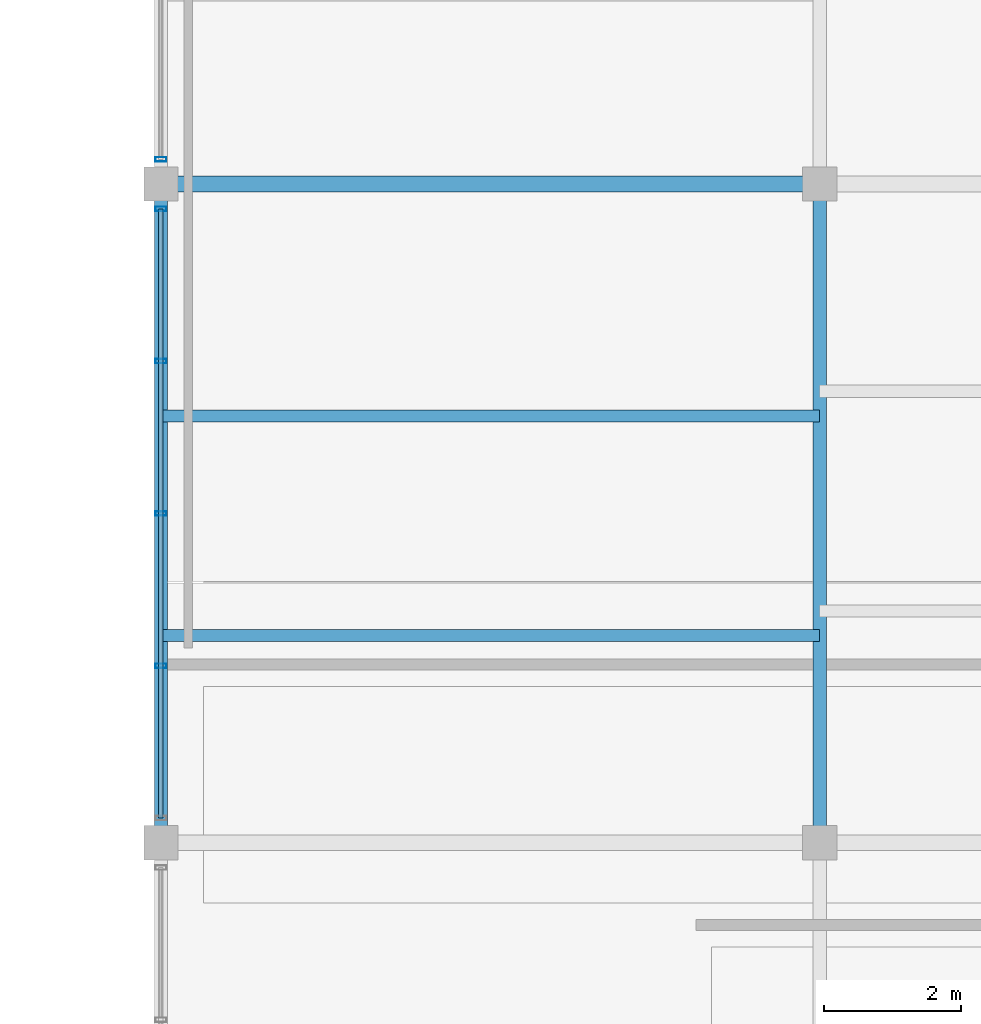
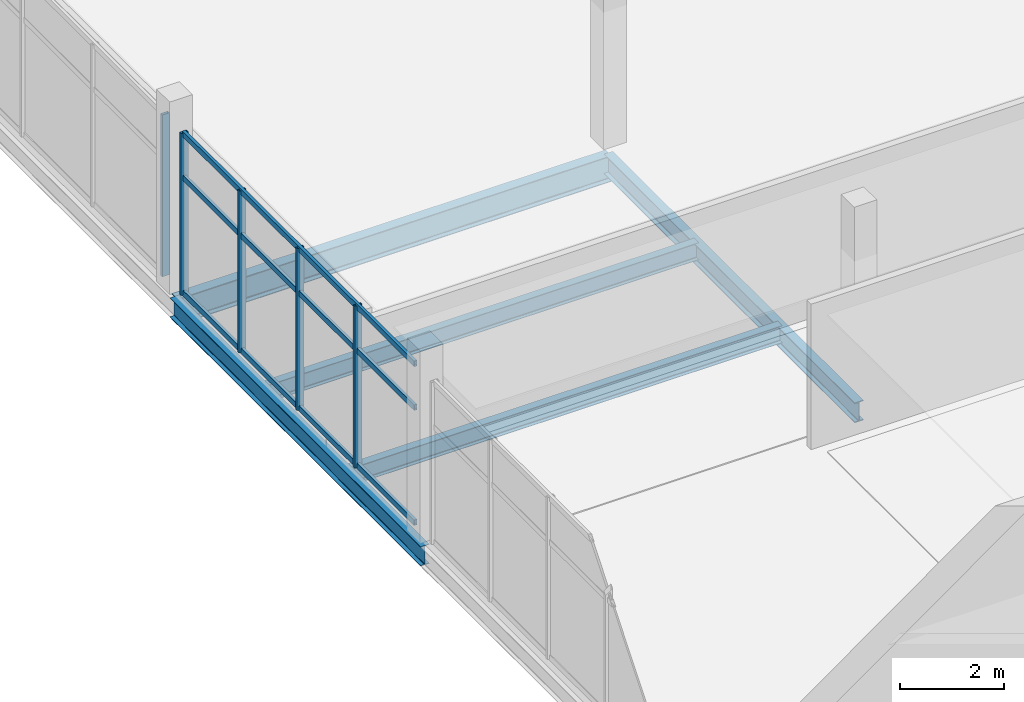
# One storey, part 53 of 114: 8 members, 5 beams, 2 elements without a shape of their own.
"""IFC4 building model written with IfcOpenShell, lengths in metres."""

from ifc_helpers import new_model, si_unit, direction, frame, origin, origin_2d, place, context, subcontext, project, spatial, hollow_rectangle, i_section, extrude, material, layer, layer_set, material_profile, profile_set, type_object, element, aggregate, save


model = new_model("IFC4")

# Units and contexts
model_context = context("Model", 3, precision=1e-05, world=origin(), true_north=direction((0.0, 1.0)))
body_context = subcontext(model_context, "Body", "Model", "MODEL_VIEW")
ifc_project = project(units=[si_unit("LENGTHUNIT", "METRE"), si_unit("AREAUNIT", "SQUARE_METRE"), si_unit("VOLUMEUNIT", "CUBIC_METRE"), si_unit("PLANEANGLEUNIT", "RADIAN"), si_unit("MASSUNIT", "GRAM", prefix="KILO")], contexts=[model_context])

# Site, building, storey
site_placement = place(None, origin())
site = spatial("IfcSite", under=ifc_project, at=site_placement, CompositionType="ELEMENT")
building_placement = place(site_placement, origin())
building = spatial("IfcBuilding", under=site, at=building_placement, Name="Chalmorin Arch Market", CompositionType="ELEMENT")
storey_placement = place(building_placement, frame((0.0, 0.0, 9.60009765625)))
storey = spatial("IfcBuildingStorey", under=building, at=storey_placement, Name="L02", CompositionType="ELEMENT", Elevation=9.60009765625)

# Curtain wall, members
ifc_material_1 = material(Name="Aluminium 6063-T6", Category="aluminium")
ifc_layer_1 = layer(ifc_material_1, 0.159912109375)
ifc_layer_set_1 = layer_set([ifc_layer_1], Name="Aluminium 6063-T6")
curtain_wall_type_1 = type_object("IfcCurtainWallType", Name="CulinaryStudioCurtainWall-CW3-8880x3790", PredefinedType="NOTDEFINED", material=ifc_layer_set_1)
curtain_wall_1_placement = place(storey_placement, origin())
curtain_wall_1 = element("IfcCurtainWall", 1, at=curtain_wall_1_placement, inside=storey, type_object=curtain_wall_type_1, Name="CW-03-113", PredefinedType="NOTDEFINED")
ifc_material_profile_1 = material_profile(ifc_material_1, hollow_rectangle(XDim=0.06494140625, YDim=0.159912109375, WallThickness=0.00390625, at=origin_2d()), Name="ALU65X160X4")
ifc_profile_set_1 = profile_set([ifc_material_profile_1], Name="Aluminium 6063-T6")
member_type_1 = type_object("IfcMemberType", Name="CurtainWallMullion-65x160", PredefinedType="MULLION", material=ifc_profile_set_1)
member_1_placement = place(storey_placement, frame((48.0, 93.780029296875, 0.0), z_axis=(0.0, 0.0, 1.0), x_axis=(0.0, 1.0, 0.0)))
member_1 = element("IfcMember", 2, at=member_1_placement, type_object=member_type_1, Name="ML-113-02", PredefinedType="MULLION", context=body_context, shape_type="SweptSolid", body=[
    extrude(hollow_rectangle(XDim=0.06494140625, YDim=0.159912109375, WallThickness=0.00390625, at=origin_2d()), origin(), (0.0, 0.0, 1.0), 3.785888671875),
])
member_2_placement = place(storey_placement, frame((48.0, 96.0, 0.0), z_axis=(0.0, 0.0, 1.0), x_axis=(0.0, 1.0, 0.0)))
member_2 = element("IfcMember", 3, at=member_2_placement, type_object=member_type_1, Name="ML-113-03", PredefinedType="MULLION", context=body_context, shape_type="SweptSolid", body=[
    extrude(hollow_rectangle(XDim=0.06494140625, YDim=0.159912109375, WallThickness=0.00390625, at=origin_2d()), origin(), (0.0, 0.0, 1.0), 3.785888671875),
])
member_3_placement = place(storey_placement, frame((48.0, 98.219970703125, 0.0), z_axis=(0.0, 0.0, 1.0), x_axis=(0.0, 1.0, 0.0)))
member_3 = element("IfcMember", 4, at=member_3_placement, type_object=member_type_1, Name="ML-113-04", PredefinedType="MULLION", context=body_context, shape_type="SweptSolid", body=[
    extrude(hollow_rectangle(XDim=0.06494140625, YDim=0.159912109375, WallThickness=0.00390625, at=origin_2d()), origin(), (0.0, 0.0, 1.0), 3.785888671875),
])
member_4_placement = place(storey_placement, frame((48.0, 100.43994140625, 0.0), z_axis=(0.0, 0.0, 1.0), x_axis=(0.0, 1.0, 0.0)))
member_4 = element("IfcMember", 5, at=member_4_placement, type_object=member_type_1, Name="ML-113-05", PredefinedType="MULLION", context=body_context, shape_type="SweptSolid", body=[
    extrude(hollow_rectangle(XDim=0.06494140625, YDim=0.159912109375, WallThickness=0.00390625, at=origin_2d()), origin(), (0.0, 0.0, 1.0), 3.785888671875),
])

# Curtain wall, member
ifc_layer_2 = layer(ifc_material_1, 0.159912109375)
ifc_layer_set_2 = layer_set([ifc_layer_2], Name="Aluminium 6063-T6")
curtain_wall_type_2 = type_object("IfcCurtainWallType", Name="CulinaryStudioCurtainWall-CW3-8080x3790", PredefinedType="NOTDEFINED", material=ifc_layer_set_2)
curtain_wall_2_placement = place(storey_placement, origin())
curtain_wall_2 = element("IfcCurtainWall", 6, at=curtain_wall_2_placement, inside=storey, type_object=curtain_wall_type_2, Name="CW-03-116", PredefinedType="NOTDEFINED")
member_5_placement = place(storey_placement, frame((48.0, 101.159912109375, 0.0), z_axis=(0.0, 0.0, 1.0), x_axis=(0.0, 1.0, 0.0)))
member_5 = element("IfcMember", 7, at=member_5_placement, type_object=member_type_1, Name="ML-116-01", PredefinedType="MULLION", context=body_context, shape_type="SweptSolid", body=[
    extrude(hollow_rectangle(XDim=0.06494140625, YDim=0.159912109375, WallThickness=0.00390625, at=origin_2d()), origin(), (0.0, 0.0, 1.0), 3.785888671875),
])
aggregate(curtain_wall_2, [member_5])

# Member
ifc_material_profile_2 = material_profile(ifc_material_1, hollow_rectangle(XDim=0.06494140625, YDim=0.1298828125, WallThickness=0.00390625, at=origin_2d()), Name="ALU65X130X4")
ifc_profile_set_2 = profile_set([ifc_material_profile_2], Name="Aluminium 6063-T6")
member_type_2 = type_object("IfcMemberType", Name="CurtainWallTransom-65x130", PredefinedType="USERDEFINED", material=ifc_profile_set_2)
member_6_placement = place(storey_placement, frame((48.0, 91.56005859375, 0.034912109375), z_axis=(0.0, 1.0, 0.0), x_axis=(-1.0, 0.0, 0.0)))
member_6 = element("IfcMember", 8, at=member_6_placement, type_object=member_type_2, Name="TR-113-01", ObjectType="TRANSOM", PredefinedType="USERDEFINED", context=body_context, shape_type="SweptSolid", body=[
    extrude(hollow_rectangle(XDim=0.06494140625, YDim=0.1298828125, WallThickness=0.00390625, at=origin_2d()), origin(), (0.0, 0.0, 1.0), 8.8798828125),
])

member_7_placement = place(storey_placement, frame((48.0, 91.56005859375, 2.725830078125), z_axis=(0.0, 1.0, 0.0), x_axis=(-1.0, 0.0, 0.0)))
member_7 = element("IfcMember", 9, at=member_7_placement, type_object=member_type_2, Name="TR-113-02", ObjectType="TRANSOM", PredefinedType="USERDEFINED", context=body_context, shape_type="SweptSolid", body=[
    extrude(hollow_rectangle(XDim=0.06494140625, YDim=0.1298828125, WallThickness=0.00390625, at=origin_2d()), origin(), (0.0, 0.0, 1.0), 8.8798828125),
])

member_8_placement = place(storey_placement, frame((48.0, 91.56005859375, 3.7509765625), z_axis=(0.0, 1.0, 0.0), x_axis=(-1.0, 0.0, 0.0)))
member_8 = element("IfcMember", 10, at=member_8_placement, type_object=member_type_2, Name="TR-113-03", ObjectType="TRANSOM", PredefinedType="USERDEFINED", context=body_context, shape_type="SweptSolid", body=[
    extrude(hollow_rectangle(XDim=0.06494140625, YDim=0.1298828125, WallThickness=0.00390625, at=origin_2d()), origin(), (0.0, 0.0, 1.0), 8.8798828125),
])

aggregate(curtain_wall_1, [member_1, member_2, member_3, member_4, member_6, member_7, member_8])

# Beams
ifc_material_2 = material(Name="Steel A992 Grade 50", Category="steel")
ifc_material_profile_3 = material_profile(ifc_material_2, i_section(OverallWidth=0.193115234375, OverallDepth=0.466064453125, WebThickness=0.011474609375, FlangeThickness=0.01904296875, FilletRadius=0.02001953125, at=origin_2d()), Name="W18X65")
ifc_profile_set_3 = profile_set([ifc_material_profile_3], Name="Steel A992 Grade 50")
beam_type_1 = type_object("IfcBeamType", Name="FloorSteelBeam-W18X65", PredefinedType="BEAM", material=ifc_profile_set_3)
beam_1_placement = place(storey_placement, frame((57.60009765625, 91.199951171875, -0.51513671875), z_axis=(0.0, 1.0, 0.0), x_axis=(-1.0, 0.0, 0.0)))
element("IfcBeam", 11, at=beam_1_placement, inside=storey, type_object=beam_type_1, Name="BM-W18A-1228", PredefinedType="BEAM", context=body_context, shape_type="SweptSolid", body=[
    extrude(i_section(OverallWidth=0.193115234375, OverallDepth=0.466064453125, WebThickness=0.011474609375, FlangeThickness=0.01904296875, FilletRadius=0.02001953125, at=origin_2d()), origin(), (0.0, 0.0, 1.0), 9.60009765625),
])
ifc_material_profile_4 = material_profile(ifc_material_2, i_section(OverallWidth=0.19091796875, OverallDepth=0.45703125, WebThickness=0.009033203125, FlangeThickness=0.014404296875, FilletRadius=0.02001953125, at=origin_2d()), Name="W18X50")
ifc_profile_set_4 = profile_set([ifc_material_profile_4], Name="Steel A992 Grade 50")
beam_type_2 = type_object("IfcBeamType", Name="PerimeterSpandrelBeam-W18X50", PredefinedType="SPANDREL", material=ifc_profile_set_4)
beam_2_placement = place(storey_placement, frame((48.0, 91.199951171875, -0.510498046875), z_axis=(0.0, 1.0, 0.0), x_axis=(-1.0, 0.0, 0.0)))
element("IfcBeam", 12, at=beam_2_placement, inside=storey, type_object=beam_type_2, Name="SP-W18-1227", PredefinedType="SPANDREL", context=body_context, shape_type="SweptSolid", body=[
    extrude(i_section(OverallWidth=0.19091796875, OverallDepth=0.45703125, WebThickness=0.009033203125, FlangeThickness=0.014404296875, FilletRadius=0.02001953125, at=origin_2d()), origin(), (0.0, 0.0, 1.0), 9.60009765625),
])
ifc_material_profile_5 = material_profile(ifc_material_2, i_section(OverallWidth=0.22802734375, OverallDepth=0.60791015625, WebThickness=0.01123046875, FlangeThickness=0.017333984375, FilletRadius=0.02392578125, at=origin_2d()), Name="W24X76")
ifc_profile_set_5 = profile_set([ifc_material_profile_5], Name="Steel A992 Grade 50")
beam_type_3 = type_object("IfcBeamType", Name="PrimarySteelGirder-W24X76", PredefinedType="BEAM", material=ifc_profile_set_5)
beam_3_placement = place(storey_placement, frame((48.0, 100.800048828125, -0.586181640625), z_axis=(1.0, 0.0, 0.0), x_axis=(0.0, 1.0, 0.0)))
element("IfcBeam", 13, at=beam_3_placement, inside=storey, type_object=beam_type_3, Name="BG-W24B-1226", PredefinedType="BEAM", context=body_context, shape_type="SweptSolid", body=[
    extrude(i_section(OverallWidth=0.22802734375, OverallDepth=0.60791015625, WebThickness=0.01123046875, FlangeThickness=0.017333984375, FilletRadius=0.02392578125, at=origin_2d()), origin(), (0.0, 0.0, 1.0), 9.60009765625),
])
ifc_material_profile_6 = material_profile(ifc_material_2, i_section(OverallWidth=0.177978515625, OverallDepth=0.403076171875, WebThickness=0.007568359375, FlangeThickness=0.010986328125, FilletRadius=0.01806640625, at=origin_2d()), Name="W16X36")
ifc_profile_set_6 = profile_set([ifc_material_profile_6], Name="Steel A992 Grade 50")
beam_type_4 = type_object("IfcBeamType", Name="SecondaryFloorJoist-W16X36", PredefinedType="JOIST", material=ifc_profile_set_6)
for number, where, z_axis, x_axis, name in (
    (14, (48.0, 94.219970703125, -0.483642578125), (1.0, 0.0, 0.0), (0.0, 1.0, 0.0), "BJ-W16B-1303"),
    (15, (48.0, 97.419921875, -0.483642578125), (1.0, 0.0, 0.0), (0.0, 1.0, 0.0), "BJ-W16B-1304"),
):
    element("IfcBeam", number, at=place(storey_placement, frame(where, z_axis=z_axis, x_axis=x_axis)), inside=storey, type_object=beam_type_4, Name=name, PredefinedType="JOIST", context=body_context, shape_type="SweptSolid", body=[
        extrude(i_section(OverallWidth=0.177978515625, OverallDepth=0.403076171875, WebThickness=0.007568359375, FlangeThickness=0.010986328125, FilletRadius=0.01806640625, at=origin_2d()), origin(), (0.0, 0.0, 1.0), 9.60009765625),
    ])

save(model, "model.ifc")
